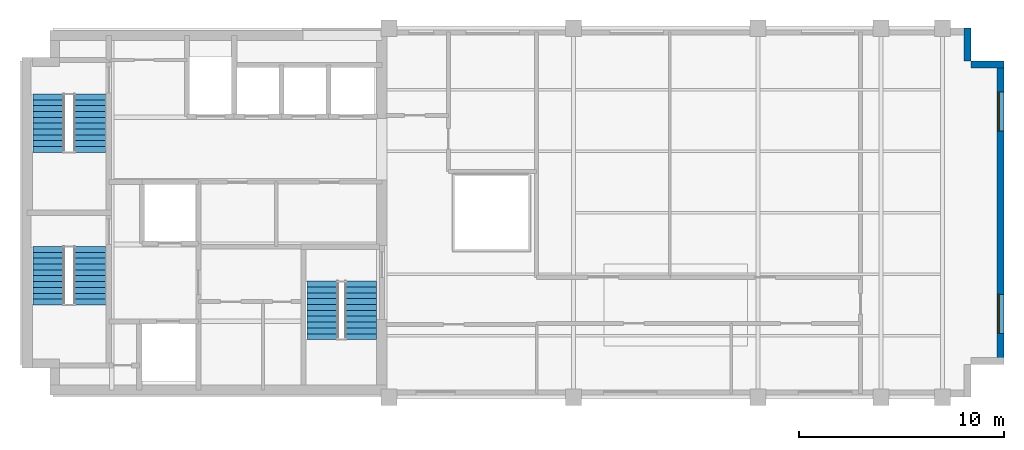
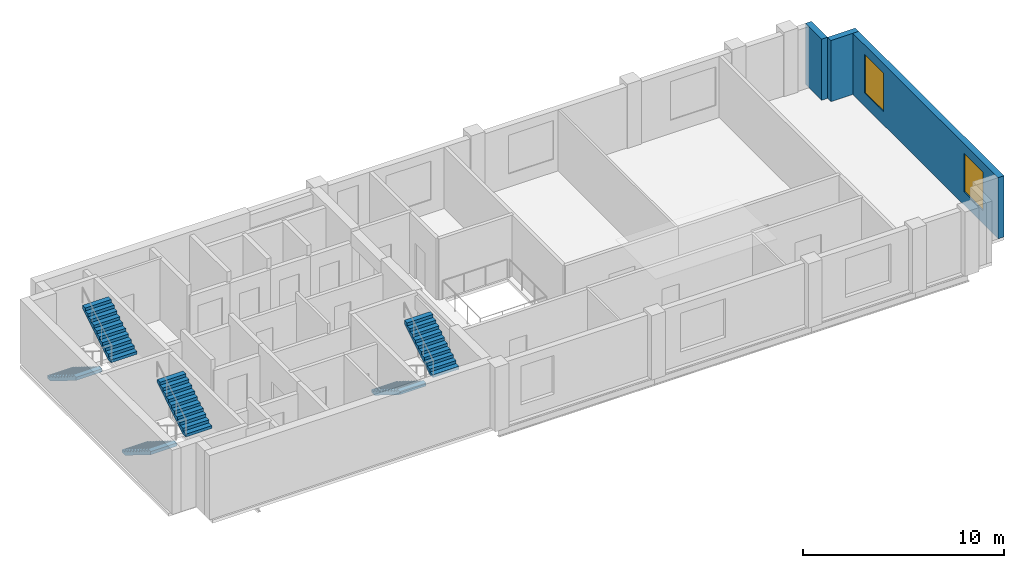
# One storey, part 4 of 5: 6 stair flights, 3 walls, 2 windows, 2 openings, 3 elements without a shape of their own.
"""IFC4 building model written with IfcOpenShell, lengths in metres."""

from ifc_helpers import new_model, si_unit, direction, frame, frame_2d, origin, place, context, subcontext, project, spatial, polyline, rectangle, outline, extrude, material, layer, layer_set, type_object, element, fill, aggregate, save


model = new_model("IFC4")

# Units and contexts
model_context = context("Model", 3, precision=1e-05, world=origin(), true_north=direction((0.0, 1.0)))
body_context = subcontext(model_context, "Body", "Model", "MODEL_VIEW")
ifc_project = project(units=[si_unit("LENGTHUNIT", "METRE"), si_unit("AREAUNIT", "SQUARE_METRE"), si_unit("VOLUMEUNIT", "CUBIC_METRE"), si_unit("PLANEANGLEUNIT", "RADIAN"), si_unit("MASSUNIT", "GRAM", prefix="KILO")], contexts=[model_context])

# Site, building, storey
site_placement = place(None, origin())
site = spatial("IfcSite", under=ifc_project, at=site_placement, CompositionType="ELEMENT")
building_placement = place(site_placement, origin())
building = spatial("IfcBuilding", under=site, at=building_placement, Name="Mawjdan Bourse Tower", CompositionType="ELEMENT")
storey_placement = place(building_placement, frame((0.0, 0.0, 262.5)))
storey = spatial("IfcBuildingStorey", under=building, at=storey_placement, Name="L64", CompositionType="ELEMENT", Elevation=262.5)

# Wall, openings, windows
ifc_material_1 = material(Name="Brick Masonry Buff", Category="masonry")
ifc_layer = layer(ifc_material_1, 0.340087890625)
ifc_layer_set = layer_set([ifc_layer], Name="Brick Masonry Buff")
wall_type = type_object("IfcWallType", Name="WL-BRK-SPN-340", PredefinedType="STANDARD", material=ifc_layer_set)
wall_placement = place(storey_placement, frame((53.830078125, 4.60009765625, 0.0), z_axis=(0.0, 0.0, 1.0), x_axis=(0.0, 1.0, 0.0)))
wall = element("IfcWall", 1, at=wall_placement, inside=storey, type_object=wall_type, Name="L64 Exterior Brick Wall 4", PredefinedType="STANDARD", context=body_context, shape_type="SweptSolid", body=[
    extrude(rectangle(XDim=14.7998046875, YDim=0.340087890625, at=frame_2d((7.39990234375, 0.0))), origin(), (0.0, 0.0, 1.0), 3.715087890625),
])
opening_1_placement = place(wall_placement, frame((1.5166015625, 0.0, 0.800048828125)))
opening_1 = element("IfcOpeningElement", 2, at=opening_1_placement, cuts=wall, Name="Opening W-L64-04", PredefinedType="OPENING", context=body_context, shape_type="SweptSolid", body=[
    extrude(rectangle(XDim=1.89990234375, YDim=2.35009765625, at=frame_2d((0.949951171875, 1.175048828125))), frame((0.0, 0.18017578125, 0.0), z_axis=(0.0, -1.0, 0.0), x_axis=(1.0, 0.0, 0.0)), (0.0, 0.0, 1.0), 0.360107421875),
])
opening_2_placement = place(wall_placement, frame((11.38330078125, 0.0, 0.800048828125)))
opening_2 = element("IfcOpeningElement", 3, at=opening_2_placement, cuts=wall, Name="Opening W-L64-05", PredefinedType="OPENING", context=body_context, shape_type="SweptSolid", body=[
    extrude(rectangle(XDim=1.89990234375, YDim=2.35009765625, at=frame_2d((0.949951171875, 1.175048828125))), frame((0.0, 0.18017578125, 0.0), z_axis=(0.0, -1.0, 0.0), x_axis=(1.0, 0.0, 0.0)), (0.0, 0.0, 1.0), 0.360107421875),
])
ifc_material_2 = material(Name="Solar-Control Clear Double Glazing", Category="glass")
window_type = type_object("IfcWindowType", Name="WN-SMT-1900", PartitioningType="SINGLE_PANEL", PredefinedType="WINDOW", material=ifc_material_2)
window_1_placement = place(opening_1_placement, origin())
window_1 = element("IfcWindow", 4, at=window_1_placement, inside=storey, type_object=window_type, Name="L64 Deep-Set Masonry Window W-L64-04", OverallHeight=2.35009765625, OverallWidth=1.89990234375, PartitioningType="SINGLE_PANEL", PredefinedType="WINDOW", context=body_context, shape_type="SweptSolid", body=[
    extrude(rectangle(XDim=1.89990234375, YDim=2.35009765625, at=frame_2d((0.949951171875, 1.175048828125))), frame((0.0, 0.110107421875, 0.0), z_axis=(0.0, -1.0, 0.0), x_axis=(1.0, 0.0, 0.0)), (0.0, 0.0, 1.0), 0.06005859375),
])
fill(opening_1, window_1)
window_2_placement = place(opening_2_placement, origin())
window_2 = element("IfcWindow", 5, at=window_2_placement, inside=storey, type_object=window_type, Name="L64 Deep-Set Masonry Window W-L64-05", OverallHeight=2.35009765625, OverallWidth=1.89990234375, PartitioningType="SINGLE_PANEL", PredefinedType="WINDOW", context=body_context, shape_type="SweptSolid", body=[
    extrude(rectangle(XDim=1.89990234375, YDim=2.35009765625, at=frame_2d((0.949951171875, 1.175048828125))), frame((0.0, 0.110107421875, 0.0), z_axis=(0.0, -1.0, 0.0), x_axis=(1.0, 0.0, 0.0)), (0.0, 0.0, 1.0), 0.06005859375),
])
fill(opening_2, window_2)

# Walls
for number, where, z_axis, x_axis, name in (
    (6, (54.0, 19.22998046875, 0.0), (0.0, 0.0, 1.0), (-1.0, 0.0, 0.0), "L64 Exterior Brick Wall 5"),
    (7, (52.22998046875, 19.39990234375, 0.0), (0.0, 0.0, 1.0), (0.0, 1.0, 0.0), "L64 Exterior Brick Wall 6"),
):
    element("IfcWall", number, at=place(storey_placement, frame(where, z_axis=z_axis, x_axis=x_axis)), inside=storey, type_object=wall_type, Name=name, PredefinedType="STANDARD", context=body_context, shape_type="SweptSolid", body=[
        extrude(rectangle(XDim=1.60009765625, YDim=0.340087890625, at=frame_2d((0.800048828125, 0.0))), origin(), (0.0, 0.0, 1.0), 3.715087890625),
    ])

# Stair, stair flights
ifc_material_3 = material(Name="Concrete C50/60", Category="concrete")
stair_type = type_object("IfcStairType", Name="STR-CORE-1500", PredefinedType="HALF_TURN_STAIR", material=ifc_material_3)
stair_1_placement = place(storey_placement, origin())
stair_1 = element("IfcStair", 8, at=stair_1_placement, inside=storey, type_object=stair_type, Name="L64 Exit Stair 1 (Core South-West)", PredefinedType="HALF_TURN_STAIR")
stair_flight_type = type_object("IfcStairFlightType", Name="SFL-RC-1500", PredefinedType="STRAIGHT", material=ifc_material_3)
stair_flight_1_placement = place(storey_placement, frame((7.389892578125, 10.35009765625, 0.0), z_axis=(0.0, 0.0, 1.0), x_axis=(0.0, -1.0, 0.0)))
stair_flight_1 = element("IfcStairFlight", 9, at=stair_flight_1_placement, type_object=stair_flight_type, Name="ST1-L64 flight 1", NumberOfRisers=11, NumberOfTreads=10, PredefinedType="STRAIGHT", RiserHeight=0.177273, TreadLength=0.285, context=body_context, shape_type="SweptSolid", body=[
    extrude(outline(polyline([(0.0, 0.0), (0.0, 0.17724609375), (0.284912109375, 0.17724609375), (0.284912109375, 0.3544921875), (0.570068359375, 0.3544921875), (0.570068359375, 0.53173828125), (0.85498046875, 0.53173828125), (0.85498046875, 0.708984375), (1.139892578125, 0.708984375), (1.139892578125, 0.886474609375), (1.425048828125, 0.886474609375), (1.425048828125, 1.063720703125), (1.7099609375, 1.063720703125), (1.7099609375, 1.240966796875), (1.9951171875, 1.240966796875), (1.9951171875, 1.418212890625), (2.280029296875, 1.418212890625), (2.280029296875, 1.595458984375), (2.56494140625, 1.595458984375), (2.56494140625, 1.772705078125), (2.85009765625, 1.772705078125), (2.85009765625, 1.949951171875), (2.85009765625, 1.58447265625), (0.302734375, 0.0), (0.0, 0.0)])), frame((0.0, 0.75, 0.0), z_axis=(0.0, -1.0, 0.0), x_axis=(1.0, 0.0, 0.0)), (0.0, 0.0, 1.0), 1.5),
])
stair_flight_2_placement = place(storey_placement, frame((9.409912109375, 7.5, 1.949951171875), z_axis=(0.0, 0.0, 1.0), x_axis=(0.0, 1.0, 0.0)))
stair_flight_2 = element("IfcStairFlight", 10, at=stair_flight_2_placement, type_object=stair_flight_type, Name="ST1-L64 flight 2", NumberOfRisers=11, NumberOfTreads=10, PredefinedType="STRAIGHT", RiserHeight=0.177273, TreadLength=0.285, context=body_context, shape_type="SweptSolid", body=[
    extrude(outline(polyline([(0.0, 0.0), (0.0, 0.17724609375), (0.284912109375, 0.17724609375), (0.284912109375, 0.3544921875), (0.570068359375, 0.3544921875), (0.570068359375, 0.53173828125), (0.85498046875, 0.53173828125), (0.85498046875, 0.708984375), (1.139892578125, 0.708984375), (1.139892578125, 0.886474609375), (1.425048828125, 0.886474609375), (1.425048828125, 1.063720703125), (1.7099609375, 1.063720703125), (1.7099609375, 1.240966796875), (1.9951171875, 1.240966796875), (1.9951171875, 1.418212890625), (2.280029296875, 1.418212890625), (2.280029296875, 1.595458984375), (2.56494140625, 1.595458984375), (2.56494140625, 1.772705078125), (2.85009765625, 1.772705078125), (2.85009765625, 1.949951171875), (2.85009765625, 1.58447265625), (0.302734375, 0.0), (0.0, 0.0)])), frame((0.0, 0.75, 0.0), z_axis=(0.0, -1.0, 0.0), x_axis=(1.0, 0.0, 0.0)), (0.0, 0.0, 1.0), 1.5),
])
aggregate(stair_1, [stair_flight_1, stair_flight_2])

stair_2_placement = place(storey_placement, origin())
stair_2 = element("IfcStair", 11, at=stair_2_placement, inside=storey, type_object=stair_type, Name="L64 Exit Stair 2 (Core North-West)", PredefinedType="HALF_TURN_STAIR")
stair_flight_3_placement = place(storey_placement, frame((7.389892578125, 17.7900390625, 0.0), z_axis=(0.0, 0.0, 1.0), x_axis=(0.0, -1.0, 0.0)))
stair_flight_3 = element("IfcStairFlight", 12, at=stair_flight_3_placement, type_object=stair_flight_type, Name="ST2-L64 flight 1", NumberOfRisers=11, NumberOfTreads=10, PredefinedType="STRAIGHT", RiserHeight=0.177273, TreadLength=0.285, context=body_context, shape_type="SweptSolid", body=[
    extrude(outline(polyline([(0.0, 0.0), (0.0, 0.17724609375), (0.284912109375, 0.17724609375), (0.284912109375, 0.3544921875), (0.570068359375, 0.3544921875), (0.570068359375, 0.53173828125), (0.85498046875, 0.53173828125), (0.85498046875, 0.708984375), (1.139892578125, 0.708984375), (1.139892578125, 0.886474609375), (1.425048828125, 0.886474609375), (1.425048828125, 1.063720703125), (1.7099609375, 1.063720703125), (1.7099609375, 1.240966796875), (1.9951171875, 1.240966796875), (1.9951171875, 1.418212890625), (2.280029296875, 1.418212890625), (2.280029296875, 1.595458984375), (2.56494140625, 1.595458984375), (2.56494140625, 1.772705078125), (2.85009765625, 1.772705078125), (2.85009765625, 1.949951171875), (2.85009765625, 1.58447265625), (0.302734375, 0.0), (0.0, 0.0)])), frame((0.0, 0.75, 0.0), z_axis=(0.0, -1.0, 0.0), x_axis=(1.0, 0.0, 0.0)), (0.0, 0.0, 1.0), 1.5),
])
stair_flight_4_placement = place(storey_placement, frame((9.409912109375, 14.93994140625, 1.949951171875), z_axis=(0.0, 0.0, 1.0), x_axis=(0.0, 1.0, 0.0)))
stair_flight_4 = element("IfcStairFlight", 13, at=stair_flight_4_placement, type_object=stair_flight_type, Name="ST2-L64 flight 2", NumberOfRisers=11, NumberOfTreads=10, PredefinedType="STRAIGHT", RiserHeight=0.177273, TreadLength=0.285, context=body_context, shape_type="SweptSolid", body=[
    extrude(outline(polyline([(0.0, 0.0), (0.0, 0.17724609375), (0.284912109375, 0.17724609375), (0.284912109375, 0.3544921875), (0.570068359375, 0.3544921875), (0.570068359375, 0.53173828125), (0.85498046875, 0.53173828125), (0.85498046875, 0.708984375), (1.139892578125, 0.708984375), (1.139892578125, 0.886474609375), (1.425048828125, 0.886474609375), (1.425048828125, 1.063720703125), (1.7099609375, 1.063720703125), (1.7099609375, 1.240966796875), (1.9951171875, 1.240966796875), (1.9951171875, 1.418212890625), (2.280029296875, 1.418212890625), (2.280029296875, 1.595458984375), (2.56494140625, 1.595458984375), (2.56494140625, 1.772705078125), (2.85009765625, 1.772705078125), (2.85009765625, 1.949951171875), (2.85009765625, 1.58447265625), (0.302734375, 0.0), (0.0, 0.0)])), frame((0.0, 0.75, 0.0), z_axis=(0.0, -1.0, 0.0), x_axis=(1.0, 0.0, 0.0)), (0.0, 0.0, 1.0), 1.5),
])
aggregate(stair_2, [stair_flight_3, stair_flight_4])

stair_3_placement = place(storey_placement, origin())
stair_3 = element("IfcStair", 14, at=stair_3_placement, inside=storey, type_object=stair_type, Name="L64 Exit Stair 7 (Core South-East)", PredefinedType="HALF_TURN_STAIR")
stair_flight_5_placement = place(storey_placement, frame((20.739990234375, 8.659912109375, 0.0), z_axis=(0.0, 0.0, 1.0), x_axis=(0.0, -1.0, 0.0)))
stair_flight_5 = element("IfcStairFlight", 15, at=stair_flight_5_placement, type_object=stair_flight_type, Name="ST7-L64 flight 1", NumberOfRisers=11, NumberOfTreads=10, PredefinedType="STRAIGHT", RiserHeight=0.177273, TreadLength=0.285, context=body_context, shape_type="SweptSolid", body=[
    extrude(outline(polyline([(0.0, 0.0), (0.0, 0.17724609375), (0.284912109375, 0.17724609375), (0.284912109375, 0.3544921875), (0.570068359375, 0.3544921875), (0.570068359375, 0.53173828125), (0.85498046875, 0.53173828125), (0.85498046875, 0.708984375), (1.139892578125, 0.708984375), (1.139892578125, 0.886474609375), (1.425048828125, 0.886474609375), (1.425048828125, 1.063720703125), (1.7099609375, 1.063720703125), (1.7099609375, 1.240966796875), (1.9951171875, 1.240966796875), (1.9951171875, 1.418212890625), (2.280029296875, 1.418212890625), (2.280029296875, 1.595458984375), (2.56494140625, 1.595458984375), (2.56494140625, 1.772705078125), (2.85009765625, 1.772705078125), (2.85009765625, 1.949951171875), (2.85009765625, 1.58447265625), (0.302734375, 0.0), (0.0, 0.0)])), frame((0.0, 0.75, 0.0), z_axis=(0.0, -1.0, 0.0), x_axis=(1.0, 0.0, 0.0)), (0.0, 0.0, 1.0), 1.5),
])
stair_flight_6_placement = place(storey_placement, frame((22.6298828125, 5.81005859375, 1.949951171875), z_axis=(0.0, 0.0, 1.0), x_axis=(0.0, 1.0, 0.0)))
stair_flight_6 = element("IfcStairFlight", 16, at=stair_flight_6_placement, type_object=stair_flight_type, Name="ST7-L64 flight 2", NumberOfRisers=11, NumberOfTreads=10, PredefinedType="STRAIGHT", RiserHeight=0.177273, TreadLength=0.285, context=body_context, shape_type="SweptSolid", body=[
    extrude(outline(polyline([(0.0, 0.0), (0.0, 0.17724609375), (0.284912109375, 0.17724609375), (0.284912109375, 0.3544921875), (0.570068359375, 0.3544921875), (0.570068359375, 0.53173828125), (0.85498046875, 0.53173828125), (0.85498046875, 0.708984375), (1.139892578125, 0.708984375), (1.139892578125, 0.886474609375), (1.425048828125, 0.886474609375), (1.425048828125, 1.063720703125), (1.7099609375, 1.063720703125), (1.7099609375, 1.240966796875), (1.9951171875, 1.240966796875), (1.9951171875, 1.418212890625), (2.280029296875, 1.418212890625), (2.280029296875, 1.595458984375), (2.56494140625, 1.595458984375), (2.56494140625, 1.772705078125), (2.85009765625, 1.772705078125), (2.85009765625, 1.949951171875), (2.85009765625, 1.58447265625), (0.302734375, 0.0), (0.0, 0.0)])), frame((0.0, 0.75, 0.0), z_axis=(0.0, -1.0, 0.0), x_axis=(1.0, 0.0, 0.0)), (0.0, 0.0, 1.0), 1.5),
])
aggregate(stair_3, [stair_flight_5, stair_flight_6])

save(model, "model.ifc")
